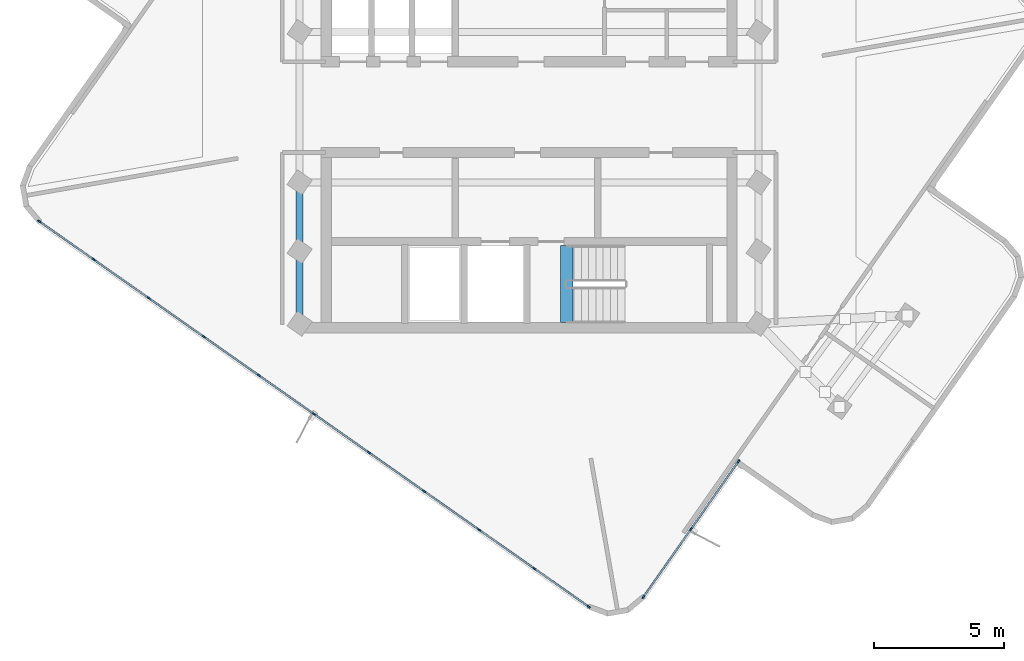
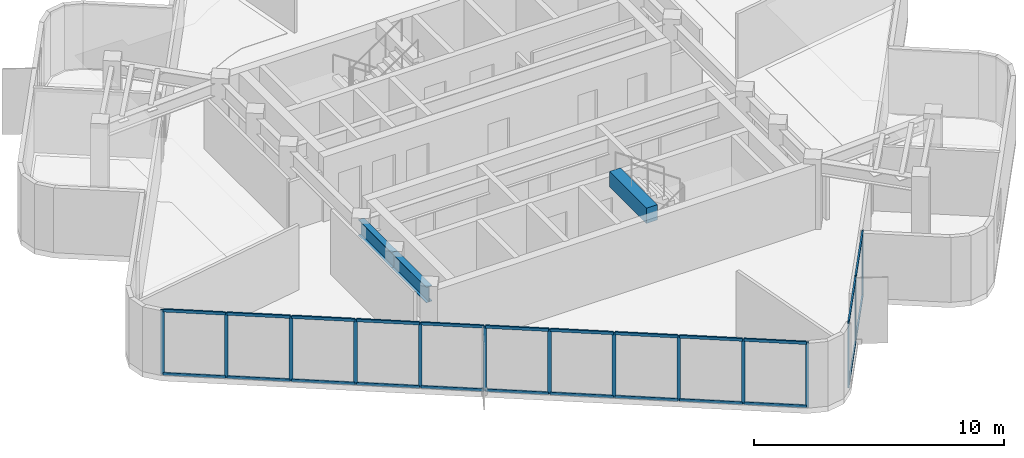
# One storey, part 2 of 8: 38 members, 3 beams, 2 elements without a shape of their own.
"""IFC4 building model written with IfcOpenShell, lengths in metres."""

from ifc_helpers import new_model, si_unit, direction, frame, origin, origin_2d, place, context, subcontext, project, spatial, rectangle, i_section, extrude, material, layer, layer_set, material_profile, profile_set, type_object, element, aggregate, save


model = new_model("IFC4")

# Units and contexts
model_context = context("Model", 3, precision=1e-05, world=origin(), true_north=direction((0.0, 1.0)))
body_context = subcontext(model_context, "Body", "Model", "MODEL_VIEW")
ifc_project = project(units=[si_unit("LENGTHUNIT", "METRE"), si_unit("AREAUNIT", "SQUARE_METRE"), si_unit("VOLUMEUNIT", "CUBIC_METRE"), si_unit("PLANEANGLEUNIT", "RADIAN"), si_unit("MASSUNIT", "GRAM", prefix="KILO")], contexts=[model_context])

# Site, building, storey
site_placement = place(None, origin())
site = spatial("IfcSite", under=ifc_project, at=site_placement, CompositionType="ELEMENT")
building_placement = place(site_placement, origin())
building = spatial("IfcBuilding", under=site, at=building_placement, Name="Solmarez Civic Tower", CompositionType="ELEMENT")
storey_placement = place(building_placement, frame((0.0, 0.0, 264.60009765625)))
storey = spatial("IfcBuildingStorey", under=building, at=storey_placement, Name="L71", CompositionType="ELEMENT", Elevation=264.60009765625)

# Beams
ifc_material_1 = material(Name="Concrete C50/60", Category="concrete")
ifc_material_profile_1 = material_profile(ifc_material_1, rectangle(XDim=0.5, YDim=0.75, at=origin_2d()), Name="RC500X750")
ifc_profile_set_1 = profile_set([ifc_material_profile_1], Name="Concrete C50/60")
beam_type_1 = type_object("IfcBeamType", Name="BM-PR-RC500X750", PredefinedType="BEAM", material=ifc_profile_set_1)
beam_1_placement = place(storey_placement, frame((1.449951171875, -8.300048828125, 3.052978515625), z_axis=(0.0, 1.0, 0.0), x_axis=(-1.0, 0.0, 0.0)))
element("IfcBeam", 1, at=beam_1_placement, inside=storey, type_object=beam_type_1, Name="L71 South Stair Threshold Beam", PredefinedType="BEAM", context=body_context, shape_type="SweptSolid", body=[
    extrude(rectangle(XDim=0.5, YDim=0.75, at=origin_2d()), origin(), (0.0, 0.0, 1.0), 2.9599609375),
])
ifc_material_2 = material(Name="Steel S355", Category="steel")
ifc_material_profile_2 = material_profile(ifc_material_2, i_section(OverallWidth=0.26708984375, OverallDepth=0.761962890625, WebThickness=0.014404296875, FlangeThickness=0.021484375, at=origin_2d()), Name="W30X116")
ifc_profile_set_2 = profile_set([ifc_material_profile_2], Name="Steel S355")
beam_type_2 = type_object("IfcBeamType", Name="BM-PR-W30X116", PredefinedType="BEAM", material=ifc_profile_set_2)
beam_2_placement = place(storey_placement, frame((-8.85009765625, -8.35009765625, 2.77880859375), z_axis=(0.0, 1.0, 0.0), x_axis=(-1.0, 0.0, 0.0)))
element("IfcBeam", 2, at=beam_2_placement, inside=storey, type_object=beam_type_2, Name="L71 Primary Floor Beam BM-L71-HC12-HC1", PredefinedType="BEAM", context=body_context, shape_type="SweptSolid", body=[
    extrude(i_section(OverallWidth=0.26708984375, OverallDepth=0.761962890625, WebThickness=0.014404296875, FlangeThickness=0.021484375, at=origin_2d()), origin(), (0.0, 0.0, 1.0), 2.800048828125),
])
beam_3_placement = place(storey_placement, frame((-8.85009765625, -5.550048828125, 2.77880859375), z_axis=(0.0, 1.0, 0.0), x_axis=(-1.0, 0.0, 0.0)))
element("IfcBeam", 3, at=beam_3_placement, inside=storey, type_object=beam_type_2, Name="L71 Primary Floor Beam BM-L71-HC1-HC2", PredefinedType="BEAM", context=body_context, shape_type="SweptSolid", body=[
    extrude(i_section(OverallWidth=0.26708984375, OverallDepth=0.761962890625, WebThickness=0.014404296875, FlangeThickness=0.021484375, at=origin_2d()), origin(), (0.0, 0.0, 1.0), 2.650146484375),
])

# Curtain wall, members
ifc_material_3 = material(Name="Bronze Anodised Aluminium EN AW-6063 T6", Category="aluminium")
ifc_layer = layer(ifc_material_3, 0.1650390625)
ifc_layer_set = layer_set([ifc_layer], Name="Bronze Anodised Aluminium EN AW-6063 T6")
curtain_wall_type = type_object("IfcCurtainWallType", Name="CW-SYS-4", PredefinedType="NOTDEFINED", material=ifc_layer_set)
curtain_wall_1_placement = place(storey_placement, origin())
curtain_wall_1 = element("IfcCurtainWall", 4, at=curtain_wall_1_placement, inside=storey, type_object=curtain_wall_type, Name="L71 Stick-Built Curtain Wall 1", PredefinedType="NOTDEFINED")
ifc_material_profile_3 = material_profile(ifc_material_3, rectangle(XDim=0.06005859375, YDim=0.14990234375, at=origin_2d()), Name="CWM-60X150")
ifc_profile_set_3 = profile_set([ifc_material_profile_3], Name="Bronze Anodised Aluminium EN AW-6063 T6")
member_type_1 = type_object("IfcMemberType", Name="CWM-TYPE-4", PredefinedType="MULLION", material=ifc_profile_set_3)
member_1_placement = place(storey_placement, frame((8.07080078125, -13.65966796875, 0.0), z_axis=(0.0, 0.0, 1.0), x_axis=(0.81865529514, -0.574285214627, 0.0)))
member_1 = element("IfcMember", 5, at=member_1_placement, type_object=member_type_1, Name="CWS4 mullion 1", PredefinedType="MULLION", context=body_context, shape_type="SweptSolid", body=[
    extrude(rectangle(XDim=0.06005859375, YDim=0.14990234375, at=origin_2d()), origin(), (0.0, 0.0, 1.0), 3.159912109375),
])
member_2_placement = place(storey_placement, frame((6.238525390625, -16.271484375, 0.0), z_axis=(0.0, 0.0, 1.0), x_axis=(0.81865529514, -0.574285214627, 0.0)))
member_2 = element("IfcMember", 6, at=member_2_placement, type_object=member_type_1, Name="CWS4 mullion 2", PredefinedType="MULLION", context=body_context, shape_type="SweptSolid", body=[
    extrude(rectangle(XDim=0.06005859375, YDim=0.14990234375, at=origin_2d()), origin(), (0.0, 0.0, 1.0), 3.159912109375),
])
member_3_placement = place(storey_placement, frame((4.40625, -18.883544921875, 0.0), z_axis=(0.0, 0.0, 1.0), x_axis=(0.81865529514, -0.574285214627, 0.0)))
member_3 = element("IfcMember", 7, at=member_3_placement, type_object=member_type_1, Name="CWS4 mullion 3", PredefinedType="MULLION", context=body_context, shape_type="SweptSolid", body=[
    extrude(rectangle(XDim=0.06005859375, YDim=0.14990234375, at=origin_2d()), origin(), (0.0, 0.0, 1.0), 3.159912109375),
])

curtain_wall_2_placement = place(storey_placement, origin())
curtain_wall_2 = element("IfcCurtainWall", 8, at=curtain_wall_2_placement, inside=storey, type_object=curtain_wall_type, Name="L71 Stick-Built Curtain Wall 2", PredefinedType="NOTDEFINED")
member_4_placement = place(storey_placement, frame((2.29150390625, -19.255859375, 0.0), z_axis=(0.0, 0.0, 1.0), x_axis=(-0.574166340085, -0.818738672541, 0.0)))
member_4 = element("IfcMember", 9, at=member_4_placement, type_object=member_type_1, Name="CWS4 mullion 1", PredefinedType="MULLION", context=body_context, shape_type="SweptSolid", body=[
    extrude(rectangle(XDim=0.06005859375, YDim=0.14990234375, at=origin_2d()), origin(), (0.0, 0.0, 1.0), 3.159912109375),
])
member_5_placement = place(storey_placement, frame((0.193603515625, -17.78466796875, 0.0), z_axis=(0.0, 0.0, 1.0), x_axis=(-0.574166340085, -0.818738672541, 0.0)))
member_5 = element("IfcMember", 10, at=member_5_placement, type_object=member_type_1, Name="CWS4 mullion 2", PredefinedType="MULLION", context=body_context, shape_type="SweptSolid", body=[
    extrude(rectangle(XDim=0.06005859375, YDim=0.14990234375, at=origin_2d()), origin(), (0.0, 0.0, 1.0), 3.159912109375),
])
member_6_placement = place(storey_placement, frame((-1.9287109375, -16.296142578125, 0.0), z_axis=(0.0, 0.0, 1.0), x_axis=(-0.574166340085, -0.818738672541, 0.0)))
member_6 = element("IfcMember", 11, at=member_6_placement, type_object=member_type_1, Name="CWS4 mullion 3", PredefinedType="MULLION", context=body_context, shape_type="SweptSolid", body=[
    extrude(rectangle(XDim=0.06005859375, YDim=0.14990234375, at=origin_2d()), origin(), (0.0, 0.0, 1.0), 3.159912109375),
])
member_7_placement = place(storey_placement, frame((-4.05126953125, -14.807861328125, 0.0), z_axis=(0.0, 0.0, 1.0), x_axis=(-0.574166340085, -0.818738672541, 0.0)))
member_7 = element("IfcMember", 12, at=member_7_placement, type_object=member_type_1, Name="CWS4 mullion 4", PredefinedType="MULLION", context=body_context, shape_type="SweptSolid", body=[
    extrude(rectangle(XDim=0.06005859375, YDim=0.14990234375, at=origin_2d()), origin(), (0.0, 0.0, 1.0), 3.159912109375),
])
member_8_placement = place(storey_placement, frame((-6.173583984375, -13.3193359375, 0.0), z_axis=(0.0, 0.0, 1.0), x_axis=(-0.574166340085, -0.818738672541, 0.0)))
member_8 = element("IfcMember", 13, at=member_8_placement, type_object=member_type_1, Name="CWS4 mullion 5", PredefinedType="MULLION", context=body_context, shape_type="SweptSolid", body=[
    extrude(rectangle(XDim=0.06005859375, YDim=0.14990234375, at=origin_2d()), origin(), (0.0, 0.0, 1.0), 3.159912109375),
])
member_9_placement = place(storey_placement, frame((-8.2958984375, -11.8310546875, 0.0), z_axis=(0.0, 0.0, 1.0), x_axis=(-0.574166340085, -0.818738672541, 0.0)))
member_9 = element("IfcMember", 14, at=member_9_placement, type_object=member_type_1, Name="CWS4 mullion 6", PredefinedType="MULLION", context=body_context, shape_type="SweptSolid", body=[
    extrude(rectangle(XDim=0.06005859375, YDim=0.14990234375, at=origin_2d()), origin(), (0.0, 0.0, 1.0), 3.159912109375),
])
member_10_placement = place(storey_placement, frame((-10.41845703125, -10.342529296875, 0.0), z_axis=(0.0, 0.0, 1.0), x_axis=(-0.574166340085, -0.818738672541, 0.0)))
member_10 = element("IfcMember", 15, at=member_10_placement, type_object=member_type_1, Name="CWS4 mullion 7", PredefinedType="MULLION", context=body_context, shape_type="SweptSolid", body=[
    extrude(rectangle(XDim=0.06005859375, YDim=0.14990234375, at=origin_2d()), origin(), (0.0, 0.0, 1.0), 3.159912109375),
])
member_11_placement = place(storey_placement, frame((-12.540771484375, -8.854248046875, 0.0), z_axis=(0.0, 0.0, 1.0), x_axis=(-0.574166340085, -0.818738672541, 0.0)))
member_11 = element("IfcMember", 16, at=member_11_placement, type_object=member_type_1, Name="CWS4 mullion 8", PredefinedType="MULLION", context=body_context, shape_type="SweptSolid", body=[
    extrude(rectangle(XDim=0.06005859375, YDim=0.14990234375, at=origin_2d()), origin(), (0.0, 0.0, 1.0), 3.159912109375),
])
member_12_placement = place(storey_placement, frame((-14.6630859375, -7.36572265625, 0.0), z_axis=(0.0, 0.0, 1.0), x_axis=(-0.574166340085, -0.818738672541, 0.0)))
member_12 = element("IfcMember", 17, at=member_12_placement, type_object=member_type_1, Name="CWS4 mullion 9", PredefinedType="MULLION", context=body_context, shape_type="SweptSolid", body=[
    extrude(rectangle(XDim=0.06005859375, YDim=0.14990234375, at=origin_2d()), origin(), (0.0, 0.0, 1.0), 3.159912109375),
])
member_13_placement = place(storey_placement, frame((-16.78564453125, -5.87744140625, 0.0), z_axis=(0.0, 0.0, 1.0), x_axis=(-0.574166340085, -0.818738672541, 0.0)))
member_13 = element("IfcMember", 18, at=member_13_placement, type_object=member_type_1, Name="CWS4 mullion 10", PredefinedType="MULLION", context=body_context, shape_type="SweptSolid", body=[
    extrude(rectangle(XDim=0.06005859375, YDim=0.14990234375, at=origin_2d()), origin(), (0.0, 0.0, 1.0), 3.159912109375),
])
member_14_placement = place(storey_placement, frame((-18.883544921875, -4.40625, 0.0), z_axis=(0.0, 0.0, 1.0), x_axis=(-0.574166340085, -0.818738672541, 0.0)))
member_14 = element("IfcMember", 19, at=member_14_placement, type_object=member_type_1, Name="CWS4 mullion 11", PredefinedType="MULLION", context=body_context, shape_type="SweptSolid", body=[
    extrude(rectangle(XDim=0.06005859375, YDim=0.14990234375, at=origin_2d()), origin(), (0.0, 0.0, 1.0), 3.159912109375),
])

# Member
ifc_material_profile_4 = material_profile(ifc_material_3, rectangle(XDim=0.070068359375, YDim=0.139892578125, at=origin_2d()), Name="CWT-70X140")
ifc_profile_set_4 = profile_set([ifc_material_profile_4], Name="Bronze Anodised Aluminium EN AW-6063 T6")
member_type_2 = type_object("IfcMemberType", Name="CWT-TYPE-1", PredefinedType="USERDEFINED", material=ifc_profile_set_4)
member_15_placement = place(storey_placement, frame((8.053466796875, -13.68408203125, 0.034912109375), z_axis=(-0.574304731717, -0.818641603589, 0.0), x_axis=(0.818641603589, -0.574304731717, 0.0)))
member_15 = element("IfcMember", 20, at=member_15_placement, type_object=member_type_2, Name="CWS4 transom 1.1", ObjectType="TRANSOM", PredefinedType="USERDEFINED", context=body_context, shape_type="SweptSolid", body=[
    extrude(rectangle(XDim=0.070068359375, YDim=0.139892578125, at=origin_2d()), origin(), (0.0, 0.0, 1.0), 3.13037109375),
])

member_16_placement = place(storey_placement, frame((8.053466796875, -13.68408203125, 3.125), z_axis=(-0.574304731717, -0.818641603589, 0.0), x_axis=(0.818641603589, -0.574304731717, 0.0)))
member_16 = element("IfcMember", 21, at=member_16_placement, type_object=member_type_2, Name="CWS4 transom 1.2", ObjectType="TRANSOM", PredefinedType="USERDEFINED", context=body_context, shape_type="SweptSolid", body=[
    extrude(rectangle(XDim=0.070068359375, YDim=0.139892578125, at=origin_2d()), origin(), (0.0, 0.0, 1.0), 3.13037109375),
])

member_17_placement = place(storey_placement, frame((6.22119140625, -16.296142578125, 0.034912109375), z_axis=(-0.574304731717, -0.818641603589, 0.0), x_axis=(0.818641603589, -0.574304731717, 0.0)))
member_17 = element("IfcMember", 22, at=member_17_placement, type_object=member_type_2, Name="CWS4 transom 2.1", ObjectType="TRANSOM", PredefinedType="USERDEFINED", context=body_context, shape_type="SweptSolid", body=[
    extrude(rectangle(XDim=0.070068359375, YDim=0.139892578125, at=origin_2d()), origin(), (0.0, 0.0, 1.0), 3.13037109375),
])

member_18_placement = place(storey_placement, frame((6.22119140625, -16.296142578125, 3.125), z_axis=(-0.574304731717, -0.818641603589, 0.0), x_axis=(0.818641603589, -0.574304731717, 0.0)))
member_18 = element("IfcMember", 23, at=member_18_placement, type_object=member_type_2, Name="CWS4 transom 2.2", ObjectType="TRANSOM", PredefinedType="USERDEFINED", context=body_context, shape_type="SweptSolid", body=[
    extrude(rectangle(XDim=0.070068359375, YDim=0.139892578125, at=origin_2d()), origin(), (0.0, 0.0, 1.0), 3.13037109375),
])

aggregate(curtain_wall_1, [member_1, member_2, member_3, member_15, member_16, member_17, member_18])

member_19_placement = place(storey_placement, frame((2.266845703125, -19.238525390625, 0.034912109375), z_axis=(-0.818713611687, 0.57420207422, 0.0), x_axis=(-0.57420207422, -0.818713611687, 0.0)))
member_19 = element("IfcMember", 24, at=member_19_placement, type_object=member_type_2, Name="CWS4 transom 1.1", ObjectType="TRANSOM", PredefinedType="USERDEFINED", context=body_context, shape_type="SweptSolid", body=[
    extrude(rectangle(XDim=0.070068359375, YDim=0.139892578125, at=origin_2d()), origin(), (0.0, 0.0, 1.0), 2.502197265625),
])

member_20_placement = place(storey_placement, frame((2.266845703125, -19.238525390625, 3.125), z_axis=(-0.818713611687, 0.57420207422, 0.0), x_axis=(-0.57420207422, -0.818713611687, 0.0)))
member_20 = element("IfcMember", 25, at=member_20_placement, type_object=member_type_2, Name="CWS4 transom 1.2", ObjectType="TRANSOM", PredefinedType="USERDEFINED", context=body_context, shape_type="SweptSolid", body=[
    extrude(rectangle(XDim=0.070068359375, YDim=0.139892578125, at=origin_2d()), origin(), (0.0, 0.0, 1.0), 2.502197265625),
])

member_21_placement = place(storey_placement, frame((0.1689453125, -17.767333984375, 0.034912109375), z_axis=(-0.818751502368, 0.574148044819, 0.0), x_axis=(-0.574148044819, -0.818751502368, 0.0)))
member_21 = element("IfcMember", 26, at=member_21_placement, type_object=member_type_2, Name="CWS4 transom 2.1", ObjectType="TRANSOM", PredefinedType="USERDEFINED", context=body_context, shape_type="SweptSolid", body=[
    extrude(rectangle(XDim=0.070068359375, YDim=0.139892578125, at=origin_2d()), origin(), (0.0, 0.0, 1.0), 2.5322265625),
])

member_22_placement = place(storey_placement, frame((0.1689453125, -17.767333984375, 3.125), z_axis=(-0.818751502368, 0.574148044819, 0.0), x_axis=(-0.574148044819, -0.818751502368, 0.0)))
member_22 = element("IfcMember", 27, at=member_22_placement, type_object=member_type_2, Name="CWS4 transom 2.2", ObjectType="TRANSOM", PredefinedType="USERDEFINED", context=body_context, shape_type="SweptSolid", body=[
    extrude(rectangle(XDim=0.070068359375, YDim=0.139892578125, at=origin_2d()), origin(), (0.0, 0.0, 1.0), 2.5322265625),
])

member_23_placement = place(storey_placement, frame((-1.953369140625, -16.279052734375, 0.034912109375), z_axis=(-0.818706179381, 0.574212671266, 0.0), x_axis=(-0.574212671266, -0.818706179381, 0.0)))
member_23 = element("IfcMember", 28, at=member_23_placement, type_object=member_type_2, Name="CWS4 transom 3.1", ObjectType="TRANSOM", PredefinedType="USERDEFINED", context=body_context, shape_type="SweptSolid", body=[
    extrude(rectangle(XDim=0.070068359375, YDim=0.139892578125, at=origin_2d()), origin(), (0.0, 0.0, 1.0), 2.5322265625),
])

member_24_placement = place(storey_placement, frame((-1.953369140625, -16.279052734375, 3.125), z_axis=(-0.818706179381, 0.574212671266, 0.0), x_axis=(-0.574212671266, -0.818706179381, 0.0)))
member_24 = element("IfcMember", 29, at=member_24_placement, type_object=member_type_2, Name="CWS4 transom 3.2", ObjectType="TRANSOM", PredefinedType="USERDEFINED", context=body_context, shape_type="SweptSolid", body=[
    extrude(rectangle(XDim=0.070068359375, YDim=0.139892578125, at=origin_2d()), origin(), (0.0, 0.0, 1.0), 2.5322265625),
])

member_25_placement = place(storey_placement, frame((-4.07568359375, -14.79052734375, 0.034912109375), z_axis=(-0.818751502368, 0.574148044819, 0.0), x_axis=(-0.574148044819, -0.818751502368, 0.0)))
member_25 = element("IfcMember", 30, at=member_25_placement, type_object=member_type_2, Name="CWS4 transom 4.1", ObjectType="TRANSOM", PredefinedType="USERDEFINED", context=body_context, shape_type="SweptSolid", body=[
    extrude(rectangle(XDim=0.070068359375, YDim=0.139892578125, at=origin_2d()), origin(), (0.0, 0.0, 1.0), 2.5322265625),
])

member_26_placement = place(storey_placement, frame((-4.07568359375, -14.79052734375, 3.125), z_axis=(-0.818751502368, 0.574148044819, 0.0), x_axis=(-0.574148044819, -0.818751502368, 0.0)))
member_26 = element("IfcMember", 31, at=member_26_placement, type_object=member_type_2, Name="CWS4 transom 4.2", ObjectType="TRANSOM", PredefinedType="USERDEFINED", context=body_context, shape_type="SweptSolid", body=[
    extrude(rectangle(XDim=0.070068359375, YDim=0.139892578125, at=origin_2d()), origin(), (0.0, 0.0, 1.0), 2.5322265625),
])

member_27_placement = place(storey_placement, frame((-6.1982421875, -13.30224609375, 0.034912109375), z_axis=(-0.818706179381, 0.574212671266, 0.0), x_axis=(-0.574212671266, -0.818706179381, 0.0)))
member_27 = element("IfcMember", 32, at=member_27_placement, type_object=member_type_2, Name="CWS4 transom 5.1", ObjectType="TRANSOM", PredefinedType="USERDEFINED", context=body_context, shape_type="SweptSolid", body=[
    extrude(rectangle(XDim=0.070068359375, YDim=0.139892578125, at=origin_2d()), origin(), (0.0, 0.0, 1.0), 2.5322265625),
])

member_28_placement = place(storey_placement, frame((-6.1982421875, -13.30224609375, 3.125), z_axis=(-0.818706179381, 0.574212671266, 0.0), x_axis=(-0.574212671266, -0.818706179381, 0.0)))
member_28 = element("IfcMember", 33, at=member_28_placement, type_object=member_type_2, Name="CWS4 transom 5.2", ObjectType="TRANSOM", PredefinedType="USERDEFINED", context=body_context, shape_type="SweptSolid", body=[
    extrude(rectangle(XDim=0.070068359375, YDim=0.139892578125, at=origin_2d()), origin(), (0.0, 0.0, 1.0), 2.5322265625),
])

member_29_placement = place(storey_placement, frame((-8.320556640625, -11.813720703125, 0.034912109375), z_axis=(-0.818751502368, 0.574148044819, 0.0), x_axis=(-0.574148044819, -0.818751502368, 0.0)))
member_29 = element("IfcMember", 34, at=member_29_placement, type_object=member_type_2, Name="CWS4 transom 6.1", ObjectType="TRANSOM", PredefinedType="USERDEFINED", context=body_context, shape_type="SweptSolid", body=[
    extrude(rectangle(XDim=0.070068359375, YDim=0.139892578125, at=origin_2d()), origin(), (0.0, 0.0, 1.0), 2.5322265625),
])

member_30_placement = place(storey_placement, frame((-8.320556640625, -11.813720703125, 3.125), z_axis=(-0.818751502368, 0.574148044819, 0.0), x_axis=(-0.574148044819, -0.818751502368, 0.0)))
member_30 = element("IfcMember", 35, at=member_30_placement, type_object=member_type_2, Name="CWS4 transom 6.2", ObjectType="TRANSOM", PredefinedType="USERDEFINED", context=body_context, shape_type="SweptSolid", body=[
    extrude(rectangle(XDim=0.070068359375, YDim=0.139892578125, at=origin_2d()), origin(), (0.0, 0.0, 1.0), 2.5322265625),
])

member_31_placement = place(storey_placement, frame((-10.44287109375, -10.325439453125, 0.034912109375), z_axis=(-0.818737963649, 0.574167350935, 0.0), x_axis=(-0.574167350935, -0.818737963649, 0.0)))
member_31 = element("IfcMember", 36, at=member_31_placement, type_object=member_type_2, Name="CWS4 transom 7.1", ObjectType="TRANSOM", PredefinedType="USERDEFINED", context=body_context, shape_type="SweptSolid", body=[
    extrude(rectangle(XDim=0.070068359375, YDim=0.139892578125, at=origin_2d()), origin(), (0.0, 0.0, 1.0), 2.532470703125),
])

member_32_placement = place(storey_placement, frame((-10.44287109375, -10.325439453125, 3.125), z_axis=(-0.818737963649, 0.574167350935, 0.0), x_axis=(-0.574167350935, -0.818737963649, 0.0)))
member_32 = element("IfcMember", 37, at=member_32_placement, type_object=member_type_2, Name="CWS4 transom 7.2", ObjectType="TRANSOM", PredefinedType="USERDEFINED", context=body_context, shape_type="SweptSolid", body=[
    extrude(rectangle(XDim=0.070068359375, YDim=0.139892578125, at=origin_2d()), origin(), (0.0, 0.0, 1.0), 2.532470703125),
])

member_33_placement = place(storey_placement, frame((-12.5654296875, -8.8369140625, 0.034912109375), z_axis=(-0.818751502368, 0.574148044819, 0.0), x_axis=(-0.574148044819, -0.818751502368, 0.0)))
member_33 = element("IfcMember", 38, at=member_33_placement, type_object=member_type_2, Name="CWS4 transom 8.1", ObjectType="TRANSOM", PredefinedType="USERDEFINED", context=body_context, shape_type="SweptSolid", body=[
    extrude(rectangle(XDim=0.070068359375, YDim=0.139892578125, at=origin_2d()), origin(), (0.0, 0.0, 1.0), 2.5322265625),
])

member_34_placement = place(storey_placement, frame((-12.5654296875, -8.8369140625, 3.125), z_axis=(-0.818751502368, 0.574148044819, 0.0), x_axis=(-0.574148044819, -0.818751502368, 0.0)))
member_34 = element("IfcMember", 39, at=member_34_placement, type_object=member_type_2, Name="CWS4 transom 8.2", ObjectType="TRANSOM", PredefinedType="USERDEFINED", context=body_context, shape_type="SweptSolid", body=[
    extrude(rectangle(XDim=0.070068359375, YDim=0.139892578125, at=origin_2d()), origin(), (0.0, 0.0, 1.0), 2.5322265625),
])

member_35_placement = place(storey_placement, frame((-14.687744140625, -7.3486328125, 0.034912109375), z_axis=(-0.818706179381, 0.574212671266, 0.0), x_axis=(-0.574212671266, -0.818706179381, 0.0)))
member_35 = element("IfcMember", 40, at=member_35_placement, type_object=member_type_2, Name="CWS4 transom 9.1", ObjectType="TRANSOM", PredefinedType="USERDEFINED", context=body_context, shape_type="SweptSolid", body=[
    extrude(rectangle(XDim=0.070068359375, YDim=0.139892578125, at=origin_2d()), origin(), (0.0, 0.0, 1.0), 2.5322265625),
])

member_36_placement = place(storey_placement, frame((-14.687744140625, -7.3486328125, 3.125), z_axis=(-0.818706179381, 0.574212671266, 0.0), x_axis=(-0.574212671266, -0.818706179381, 0.0)))
member_36 = element("IfcMember", 41, at=member_36_placement, type_object=member_type_2, Name="CWS4 transom 9.2", ObjectType="TRANSOM", PredefinedType="USERDEFINED", context=body_context, shape_type="SweptSolid", body=[
    extrude(rectangle(XDim=0.070068359375, YDim=0.139892578125, at=origin_2d()), origin(), (0.0, 0.0, 1.0), 2.5322265625),
])

member_37_placement = place(storey_placement, frame((-16.81005859375, -5.860107421875, 0.034912109375), z_axis=(-0.818745777591, 0.574156208428, 0.0), x_axis=(-0.574156208428, -0.818745777591, 0.0)))
member_37 = element("IfcMember", 42, at=member_37_placement, type_object=member_type_2, Name="CWS4 transom 10.1", ObjectType="TRANSOM", PredefinedType="USERDEFINED", context=body_context, shape_type="SweptSolid", body=[
    extrude(rectangle(XDim=0.070068359375, YDim=0.139892578125, at=origin_2d()), origin(), (0.0, 0.0, 1.0), 2.50244140625),
])

member_38_placement = place(storey_placement, frame((-16.81005859375, -5.860107421875, 3.125), z_axis=(-0.818745777591, 0.574156208428, 0.0), x_axis=(-0.574156208428, -0.818745777591, 0.0)))
member_38 = element("IfcMember", 43, at=member_38_placement, type_object=member_type_2, Name="CWS4 transom 10.2", ObjectType="TRANSOM", PredefinedType="USERDEFINED", context=body_context, shape_type="SweptSolid", body=[
    extrude(rectangle(XDim=0.070068359375, YDim=0.139892578125, at=origin_2d()), origin(), (0.0, 0.0, 1.0), 2.50244140625),
])

aggregate(curtain_wall_2, [member_4, member_5, member_6, member_7, member_8, member_9, member_10, member_11, member_12, member_13, member_14, member_19, member_20, member_21, member_22, member_23, member_24, member_25, member_26, member_27, member_28, member_29, member_30, member_31, member_32, member_33, member_34, member_35, member_36, member_37, member_38])

save(model, "model.ifc")
